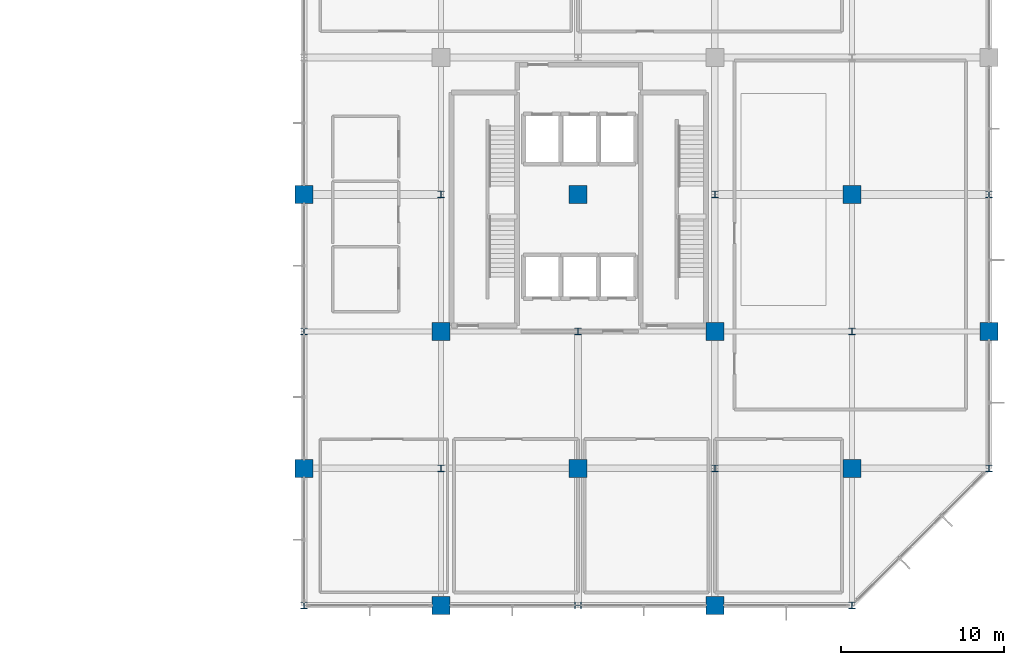
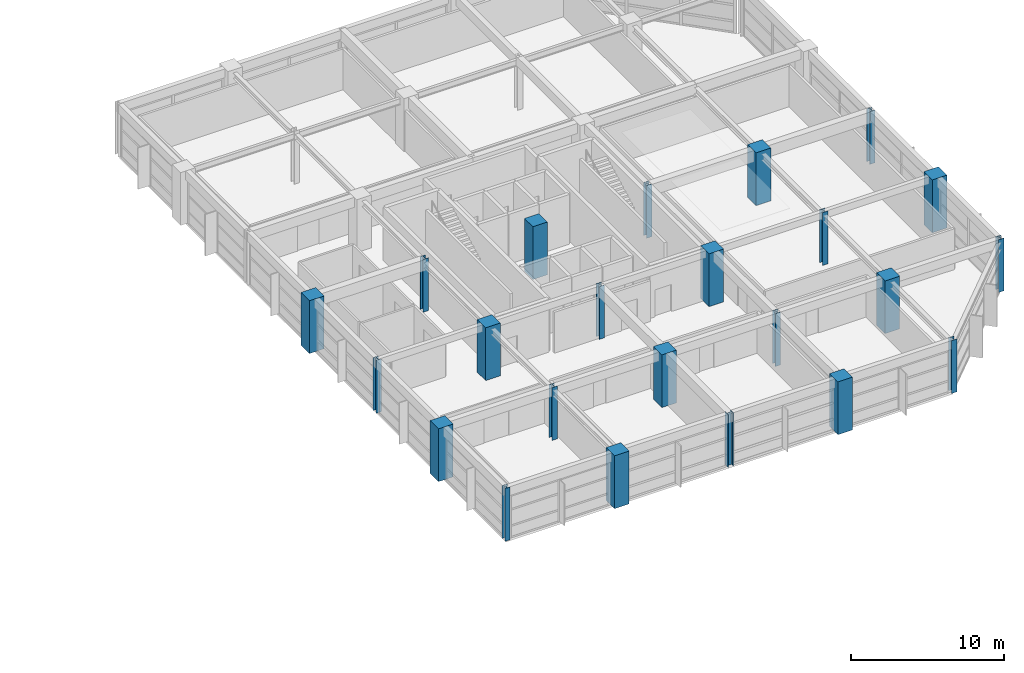
# One storey, part 2 of 18: 23 columns.
"""IFC4 building model written with IfcOpenShell, lengths in metres."""

from ifc_helpers import new_model, si_unit, direction, frame, origin, origin_2d, place, context, subcontext, project, spatial, rectangle, i_section, extrude, material, material_profile, profile_set, type_object, element, save


model = new_model("IFC4")

# Units and contexts
model_context = context("Model", 3, precision=1e-05, world=origin(), true_north=direction((0.0, 1.0)))
body_context = subcontext(model_context, "Body", "Model", "MODEL_VIEW")
ifc_project = project(units=[si_unit("LENGTHUNIT", "METRE"), si_unit("AREAUNIT", "SQUARE_METRE"), si_unit("VOLUMEUNIT", "CUBIC_METRE"), si_unit("PLANEANGLEUNIT", "RADIAN"), si_unit("MASSUNIT", "GRAM", prefix="KILO")], contexts=[model_context])

# Site, building, storey
site_placement = place(None, origin())
site = spatial("IfcSite", under=ifc_project, at=site_placement, CompositionType="ELEMENT")
building_placement = place(site_placement, origin())
building = spatial("IfcBuilding", under=site, at=building_placement, Name="Xuanlan Plaza Opera House", CompositionType="ELEMENT")
storey_placement = place(building_placement, frame((0.0, 0.0, 32.10009765625)))
storey = spatial("IfcBuildingStorey", under=building, at=storey_placement, Name="L07", CompositionType="ELEMENT", Elevation=32.10009765625)

# Columns
ifc_material_1 = material(Name="Concrete C50", Category="concrete")
ifc_material_profile_1 = material_profile(ifc_material_1, rectangle(XDim=1.10009765625, YDim=1.10009765625, at=origin_2d()), Name="RC-COL 1100x1100")
ifc_profile_set_1 = profile_set([ifc_material_profile_1], Name="Concrete C50")
column_type_1 = type_object("IfcColumnType", Name="STR-COL-C-03", PredefinedType="COLUMN", material=ifc_profile_set_1)
for number, where, z_axis, x_axis, name in (
    (1, (126.0, 42.0, 0.0), (0.0, 0.0, 1.0), (1.0, 0.0, 0.0), "Column L07 16-F"),
    (2, (126.0, 58.800048828125, 0.0), (0.0, 0.0, 1.0), (1.0, 0.0, 0.0), "Column L07 16-H"),
    (3, (134.39990234375, 33.60009765625, 0.0), (0.0, 0.0, 1.0), (1.0, 0.0, 0.0), "Column L07 17-E"),
    (4, (134.39990234375, 50.39990234375, 0.0), (0.0, 0.0, 1.0), (1.0, 0.0, 0.0), "Column L07 17-G"),
    (5, (142.800048828125, 42.0, 0.0), (0.0, 0.0, 1.0), (1.0, 0.0, 0.0), "Column L07 18-F"),
    (6, (142.800048828125, 58.800048828125, 0.0), (0.0, 0.0, 1.0), (1.0, 0.0, 0.0), "Column L07 18-H"),
    (7, (151.199951171875, 33.60009765625, 0.0), (0.0, 0.0, 1.0), (1.0, 0.0, 0.0), "Column L07 19-E"),
    (8, (151.199951171875, 50.39990234375, 0.0), (0.0, 0.0, 1.0), (1.0, 0.0, 0.0), "Column L07 19-G"),
    (9, (159.60009765625, 42.0, 0.0), (0.0, 0.0, 1.0), (1.0, 0.0, 0.0), "Column L07 20-F"),
    (10, (159.60009765625, 58.800048828125, 0.0), (0.0, 0.0, 1.0), (1.0, 0.0, 0.0), "Column L07 20-H"),
    (11, (168.0, 50.39990234375, 0.0), (0.0, 0.0, 1.0), (1.0, 0.0, 0.0), "Column L07 21-G"),
):
    element("IfcColumn", number, at=place(storey_placement, frame(where, z_axis=z_axis, x_axis=x_axis)), inside=storey, type_object=column_type_1, Name=name, PredefinedType="COLUMN", context=body_context, shape_type="SweptSolid", body=[
        extrude(rectangle(XDim=1.10009765625, YDim=1.10009765625, at=origin_2d()), origin(), (0.0, 0.0, 1.0), 4.199951171875),
    ])
ifc_material_2 = material(Name="Steel Q355B", Category="steel")
ifc_material_profile_2 = material_profile(ifc_material_2, i_section(OverallWidth=0.39990234375, OverallDepth=0.39990234375, WebThickness=0.012939453125, FlangeThickness=0.02099609375, FilletRadius=0.02197265625, at=origin_2d()), Name="HW 400x400x13x21")
ifc_profile_set_2 = profile_set([ifc_material_profile_2], Name="Steel Q355B")
column_type_2 = type_object("IfcColumnType", Name="STR-COL-C-14", PredefinedType="COLUMN", material=ifc_profile_set_2)
for number, where, z_axis, x_axis, name in (
    (12, (126.0, 33.60009765625, 0.0), (0.0, 0.0, 1.0), (1.0, 0.0, 0.0), "Column L07 16-E"),
    (13, (126.0, 50.39990234375, 0.0), (0.0, 0.0, 1.0), (1.0, 0.0, 0.0), "Column L07 16-G"),
    (14, (134.39990234375, 42.0, 0.0), (0.0, 0.0, 1.0), (1.0, 0.0, 0.0), "Column L07 17-F"),
    (15, (134.39990234375, 58.800048828125, 0.0), (0.0, 0.0, 1.0), (1.0, 0.0, 0.0), "Column L07 17-H"),
    (16, (142.800048828125, 33.60009765625, 0.0), (0.0, 0.0, 1.0), (0.0, 1.0, 0.0), "Column L07 18-E"),
    (17, (142.800048828125, 50.39990234375, 0.0), (0.0, 0.0, 1.0), (1.0, 0.0, 0.0), "Column L07 18-G"),
    (18, (151.199951171875, 42.0, 0.0), (0.0, 0.0, 1.0), (1.0, 0.0, 0.0), "Column L07 19-F"),
    (19, (151.199951171875, 58.800048828125, 0.0), (0.0, 0.0, 1.0), (1.0, 0.0, 0.0), "Column L07 19-H"),
    (20, (159.60009765625, 33.60009765625, 0.0), (0.0, 0.0, 1.0), (1.0, 0.0, 0.0), "Column L07 20-E"),
    (21, (159.60009765625, 50.39990234375, 0.0), (0.0, 0.0, 1.0), (1.0, 0.0, 0.0), "Column L07 20-G"),
    (22, (168.0, 42.0, 0.0), (0.0, 0.0, 1.0), (1.0, 0.0, 0.0), "Column L07 21-F"),
    (23, (168.0, 58.800048828125, 0.0), (0.0, 0.0, 1.0), (1.0, 0.0, 0.0), "Column L07 21-H"),
):
    element("IfcColumn", number, at=place(storey_placement, frame(where, z_axis=z_axis, x_axis=x_axis)), inside=storey, type_object=column_type_2, Name=name, PredefinedType="COLUMN", context=body_context, shape_type="SweptSolid", body=[
        extrude(i_section(OverallWidth=0.39990234375, OverallDepth=0.39990234375, WebThickness=0.012939453125, FlangeThickness=0.02099609375, FilletRadius=0.02197265625, at=origin_2d()), origin(), (0.0, 0.0, 1.0), 4.199951171875),
    ])

save(model, "model.ifc")
